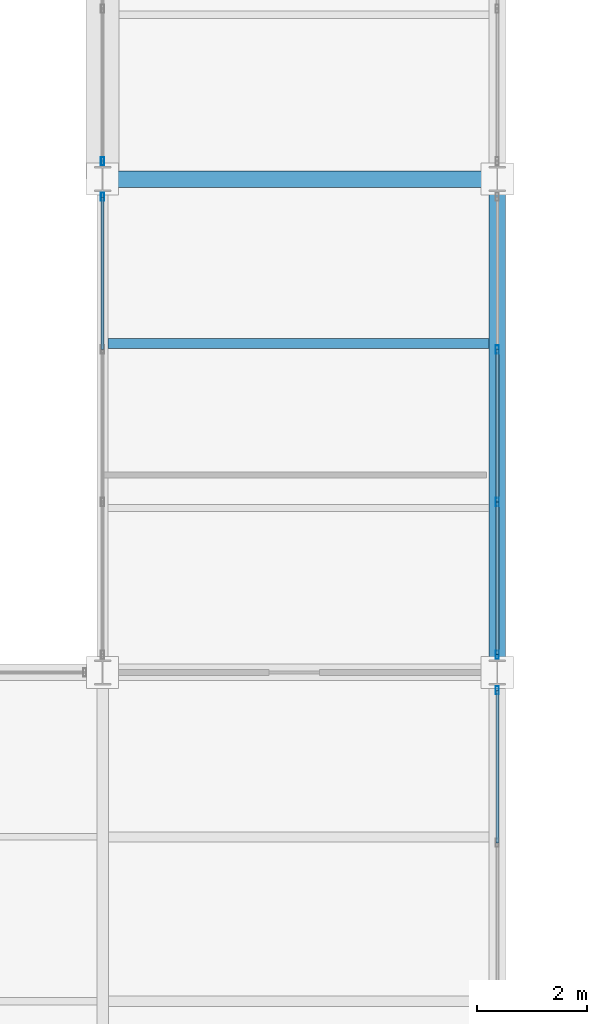
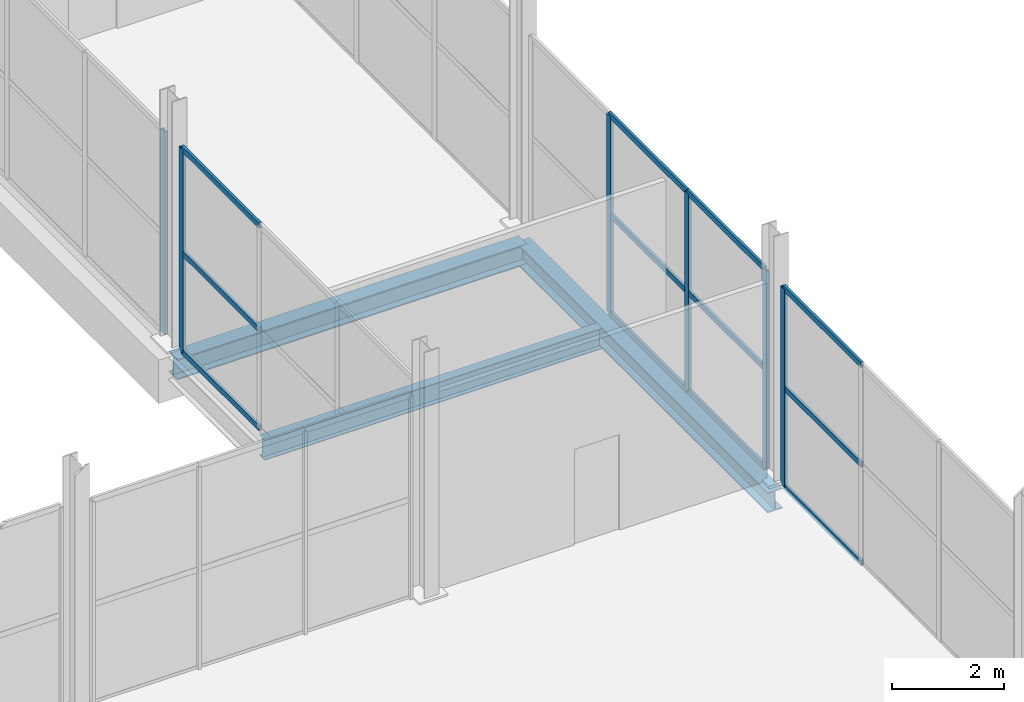
# One storey, part 91 of 147: 18 members, 3 beams, 4 elements without a shape of their own.
"""IFC4 building model written with IfcOpenShell, lengths in metres."""

from ifc_helpers import new_model, si_unit, direction, frame, origin, origin_2d, place, context, subcontext, project, spatial, hollow_rectangle, i_section, extrude, material, layer, layer_set, material_profile, profile_set, type_object, element, aggregate, save


model = new_model("IFC4")

# Units and contexts
model_context = context("Model", 3, precision=1e-05, world=origin(), true_north=direction((0.0, 1.0)))
body_context = subcontext(model_context, "Body", "Model", "MODEL_VIEW")
ifc_project = project(units=[si_unit("LENGTHUNIT", "METRE"), si_unit("AREAUNIT", "SQUARE_METRE"), si_unit("VOLUMEUNIT", "CUBIC_METRE"), si_unit("PLANEANGLEUNIT", "RADIAN"), si_unit("MASSUNIT", "GRAM", prefix="KILO")], contexts=[model_context])

# Site, building, storey
site_placement = place(None, origin())
site = spatial("IfcSite", under=ifc_project, at=site_placement, CompositionType="ELEMENT")
building_placement = place(site_placement, origin())
building = spatial("IfcBuilding", under=site, at=building_placement, Name="Sundgate Opera House", CompositionType="ELEMENT")
storey_placement = place(building_placement, frame((0.0, 0.0, 6.0)))
storey = spatial("IfcBuildingStorey", under=building, at=storey_placement, Name="L01", CompositionType="ELEMENT", Elevation=6.0)

# Beams
ifc_material_1 = material(Name="Steel S355J2", Category="steel")
ifc_material_profile_1 = material_profile(ifc_material_1, i_section(OverallWidth=0.300048828125, OverallDepth=0.449951171875, WebThickness=0.013916015625, FlangeThickness=0.02587890625, at=origin_2d()), Name="HEB 450")
ifc_profile_set_1 = profile_set([ifc_material_profile_1], Name="Steel S355J2")
beam_type_1 = type_object("IfcBeamType", Name="BM-GR-HEB450", PredefinedType="BEAM", material=ifc_profile_set_1)
beam_1_placement = place(storey_placement, frame((145.800048828125, 42.0, -0.52490234375), z_axis=(0.0, 1.0, 0.0), x_axis=(-1.0, 0.0, 0.0)))
element("IfcBeam", 1, at=beam_1_placement, inside=storey, type_object=beam_type_1, Name="L01 Primary N-S Girder B1231", PredefinedType="BEAM", context=body_context, shape_type="SweptSolid", body=[
    extrude(i_section(OverallWidth=0.300048828125, OverallDepth=0.449951171875, WebThickness=0.013916015625, FlangeThickness=0.02587890625, at=origin_2d()), origin(), (0.0, 0.0, 1.0), 9.0),
])
beam_2_placement = place(storey_placement, frame((138.60009765625, 51.0, -0.52490234375), z_axis=(1.0, 0.0, 0.0), x_axis=(0.0, 1.0, 0.0)))
element("IfcBeam", 2, at=beam_2_placement, inside=storey, type_object=beam_type_1, Name="L01 Primary E-W Girder B1341", PredefinedType="BEAM", context=body_context, shape_type="SweptSolid", body=[
    extrude(i_section(OverallWidth=0.300048828125, OverallDepth=0.449951171875, WebThickness=0.013916015625, FlangeThickness=0.02587890625, at=origin_2d()), origin(), (0.0, 0.0, 1.0), 7.199951171875),
])
ifc_material_2 = material(Name="Steel S355J2", Category="steel")
ifc_material_profile_2 = material_profile(ifc_material_2, i_section(OverallWidth=0.18994140625, OverallDepth=0.449951171875, WebThickness=0.009521484375, FlangeThickness=0.0146484375, at=origin_2d()), Name="IPE 450")
ifc_profile_set_2 = profile_set([ifc_material_profile_2], Name="Steel S355J2")
beam_type_2 = type_object("IfcBeamType", Name="BM-JS-IPE450", PredefinedType="JOIST", material=ifc_profile_set_2)
beam_3_placement = place(storey_placement, frame((138.699951171875, 48.0, -0.52490234375), z_axis=(1.0, 0.0, 0.0), x_axis=(0.0, 1.0, 0.0)))
element("IfcBeam", 3, at=beam_3_placement, inside=storey, type_object=beam_type_2, Name="L01 Secondary Floor Joist B1575", PredefinedType="JOIST", context=body_context, shape_type="SweptSolid", body=[
    extrude(i_section(OverallWidth=0.18994140625, OverallDepth=0.449951171875, WebThickness=0.009521484375, FlangeThickness=0.0146484375, at=origin_2d()), origin(), (0.0, 0.0, 1.0), 6.949951171875),
])

# Curtain wall, member
ifc_material_3 = material(Name="Anodized aluminium and low-iron glass", Category="aluminium")
ifc_layer = layer(ifc_material_3, 0.159912109375)
ifc_layer_set = layer_set([ifc_layer], Name="Anodized aluminium and low-iron glass")
curtain_wall_type = type_object("IfcCurtainWallType", Name="CW-STUDIO-DARK", PredefinedType="NOTDEFINED", material=ifc_layer_set)
curtain_wall_1_placement = place(storey_placement, origin())
curtain_wall_1 = element("IfcCurtainWall", 4, at=curtain_wall_1_placement, inside=storey, type_object=curtain_wall_type, Name="L01 Curtain Wall CW045", PredefinedType="NOTDEFINED")
ifc_material_4 = material(Name="Anodized aluminium EN AW-6063", Category="aluminium")
ifc_material_profile_3 = material_profile(ifc_material_4, hollow_rectangle(XDim=0.06005859375, YDim=0.14990234375, WallThickness=0.00390625, at=origin_2d()), Name="CWM 150x60x4")
ifc_profile_set_3 = profile_set([ifc_material_profile_3], Name="Anodized aluminium EN AW-6063")
member_type_1 = type_object("IfcMemberType", Name="CWM-ALU-150x60", PredefinedType="MULLION", material=ifc_profile_set_3)
member_1_placement = place(storey_placement, frame((145.800048828125, 41.675048828125, 0.0), z_axis=(0.0, 0.0, 1.0), x_axis=(1.0, 0.0, 0.0)))
member_1 = element("IfcMember", 5, at=member_1_placement, type_object=member_type_1, Name="CW045 Mullion 4", PredefinedType="MULLION", context=body_context, shape_type="SweptSolid", body=[
    extrude(hollow_rectangle(XDim=0.06005859375, YDim=0.14990234375, WallThickness=0.00390625, at=origin_2d()), origin(), (0.0, 0.0, 1.0), 4.31494140625),
])

# Curtain wall, members
curtain_wall_2_placement = place(storey_placement, origin())
curtain_wall_2 = element("IfcCurtainWall", 6, at=curtain_wall_2_placement, inside=storey, type_object=curtain_wall_type, Name="L01 Curtain Wall CW047", PredefinedType="NOTDEFINED")
member_2_placement = place(storey_placement, frame((145.800048828125, 42.324951171875, 0.0), z_axis=(0.0, 0.0, 1.0), x_axis=(1.0, 0.0, 0.0)))
member_2 = element("IfcMember", 7, at=member_2_placement, type_object=member_type_1, Name="CW047 Mullion 1", PredefinedType="MULLION", context=body_context, shape_type="SweptSolid", body=[
    extrude(hollow_rectangle(XDim=0.06005859375, YDim=0.14990234375, WallThickness=0.00390625, at=origin_2d()), origin(), (0.0, 0.0, 1.0), 4.31494140625),
])
member_3_placement = place(storey_placement, frame((145.800048828125, 45.1083984375, 0.0), z_axis=(0.0, 0.0, 1.0), x_axis=(1.0, 0.0, 0.0)))
member_3 = element("IfcMember", 8, at=member_3_placement, type_object=member_type_1, Name="CW047 Mullion 2", PredefinedType="MULLION", context=body_context, shape_type="SweptSolid", body=[
    extrude(hollow_rectangle(XDim=0.06005859375, YDim=0.14990234375, WallThickness=0.00390625, at=origin_2d()), origin(), (0.0, 0.0, 1.0), 4.31494140625),
])
member_4_placement = place(storey_placement, frame((145.800048828125, 47.8916015625, 0.0), z_axis=(0.0, 0.0, 1.0), x_axis=(1.0, 0.0, 0.0)))
member_4 = element("IfcMember", 9, at=member_4_placement, type_object=member_type_1, Name="CW047 Mullion 3", PredefinedType="MULLION", context=body_context, shape_type="SweptSolid", body=[
    extrude(hollow_rectangle(XDim=0.06005859375, YDim=0.14990234375, WallThickness=0.00390625, at=origin_2d()), origin(), (0.0, 0.0, 1.0), 4.31494140625),
])

# Curtain wall, member
curtain_wall_3_placement = place(storey_placement, origin())
curtain_wall_3 = element("IfcCurtainWall", 10, at=curtain_wall_3_placement, inside=storey, type_object=curtain_wall_type, Name="L01 Curtain Wall CW059", PredefinedType="NOTDEFINED")
member_5_placement = place(storey_placement, frame((138.60009765625, 50.675048828125, 0.0), z_axis=(0.0, 0.0, 1.0), x_axis=(1.0, 0.0, 0.0)))
member_5 = element("IfcMember", 11, at=member_5_placement, type_object=member_type_1, Name="CW059 Mullion 1", PredefinedType="MULLION", context=body_context, shape_type="SweptSolid", body=[
    extrude(hollow_rectangle(XDim=0.06005859375, YDim=0.14990234375, WallThickness=0.00390625, at=origin_2d()), origin(), (0.0, 0.0, 1.0), 4.4150390625),
])

curtain_wall_4_placement = place(storey_placement, origin())
curtain_wall_4 = element("IfcCurtainWall", 12, at=curtain_wall_4_placement, inside=storey, type_object=curtain_wall_type, Name="L01 Curtain Wall CW061", PredefinedType="NOTDEFINED")
member_6_placement = place(storey_placement, frame((138.60009765625, 51.324951171875, 0.0), z_axis=(0.0, 0.0, 1.0), x_axis=(1.0, 0.0, 0.0)))
member_6 = element("IfcMember", 13, at=member_6_placement, type_object=member_type_1, Name="CW061 Mullion 4", PredefinedType="MULLION", context=body_context, shape_type="SweptSolid", body=[
    extrude(hollow_rectangle(XDim=0.06005859375, YDim=0.14990234375, WallThickness=0.00390625, at=origin_2d()), origin(), (0.0, 0.0, 1.0), 4.4150390625),
])
aggregate(curtain_wall_4, [member_6])

# Member
ifc_material_5 = material(Name="Anodized aluminium EN AW-6063", Category="aluminium")
ifc_material_profile_4 = material_profile(ifc_material_5, hollow_rectangle(XDim=0.054931640625, YDim=0.1201171875, WallThickness=0.00390625, at=origin_2d()), Name="CWT 120x55x4")
ifc_profile_set_4 = profile_set([ifc_material_profile_4], Name="Anodized aluminium EN AW-6063")
member_type_2 = type_object("IfcMemberType", Name="CWT-ALU-120x55", PredefinedType="USERDEFINED", material=ifc_profile_set_4)
member_7_placement = place(storey_placement, frame((145.800048828125, 38.8916015625, 0.0), z_axis=(0.0, 1.0, 0.0), x_axis=(-1.0, 0.0, 0.0)))
member_7 = element("IfcMember", 14, at=member_7_placement, type_object=member_type_2, Name="CW045 Transom 7", ObjectType="TRANSOM", PredefinedType="USERDEFINED", context=body_context, shape_type="SweptSolid", body=[
    extrude(hollow_rectangle(XDim=0.054931640625, YDim=0.1201171875, WallThickness=0.00390625, at=origin_2d()), origin(), (0.0, 0.0, 1.0), 2.783447265625),
])

member_8_placement = place(storey_placement, frame((145.800048828125, 38.8916015625, 2.14990234375), z_axis=(0.0, 1.0, 0.0), x_axis=(-1.0, 0.0, 0.0)))
member_8 = element("IfcMember", 15, at=member_8_placement, type_object=member_type_2, Name="CW045 Transom 8", ObjectType="TRANSOM", PredefinedType="USERDEFINED", context=body_context, shape_type="SweptSolid", body=[
    extrude(hollow_rectangle(XDim=0.054931640625, YDim=0.1201171875, WallThickness=0.00390625, at=origin_2d()), origin(), (0.0, 0.0, 1.0), 2.783447265625),
])

member_9_placement = place(storey_placement, frame((145.800048828125, 38.8916015625, 4.31494140625), z_axis=(0.0, 1.0, 0.0), x_axis=(-1.0, 0.0, 0.0)))
member_9 = element("IfcMember", 16, at=member_9_placement, type_object=member_type_2, Name="CW045 Transom 9", ObjectType="TRANSOM", PredefinedType="USERDEFINED", context=body_context, shape_type="SweptSolid", body=[
    extrude(hollow_rectangle(XDim=0.054931640625, YDim=0.1201171875, WallThickness=0.00390625, at=origin_2d()), origin(), (0.0, 0.0, 1.0), 2.783447265625),
])

aggregate(curtain_wall_1, [member_1, member_7, member_8, member_9])

member_10_placement = place(storey_placement, frame((145.800048828125, 42.324951171875, 0.0), z_axis=(0.0, 1.0, 0.0), x_axis=(-1.0, 0.0, 0.0)))
member_10 = element("IfcMember", 17, at=member_10_placement, type_object=member_type_2, Name="CW047 Transom 1", ObjectType="TRANSOM", PredefinedType="USERDEFINED", context=body_context, shape_type="SweptSolid", body=[
    extrude(hollow_rectangle(XDim=0.054931640625, YDim=0.1201171875, WallThickness=0.00390625, at=origin_2d()), origin(), (0.0, 0.0, 1.0), 2.783447265625),
])

member_11_placement = place(storey_placement, frame((145.800048828125, 42.324951171875, 2.14990234375), z_axis=(0.0, 1.0, 0.0), x_axis=(-1.0, 0.0, 0.0)))
member_11 = element("IfcMember", 18, at=member_11_placement, type_object=member_type_2, Name="CW047 Transom 2", ObjectType="TRANSOM", PredefinedType="USERDEFINED", context=body_context, shape_type="SweptSolid", body=[
    extrude(hollow_rectangle(XDim=0.054931640625, YDim=0.1201171875, WallThickness=0.00390625, at=origin_2d()), origin(), (0.0, 0.0, 1.0), 2.783447265625),
])

member_12_placement = place(storey_placement, frame((145.800048828125, 42.324951171875, 4.31494140625), z_axis=(0.0, 1.0, 0.0), x_axis=(-1.0, 0.0, 0.0)))
member_12 = element("IfcMember", 19, at=member_12_placement, type_object=member_type_2, Name="CW047 Transom 3", ObjectType="TRANSOM", PredefinedType="USERDEFINED", context=body_context, shape_type="SweptSolid", body=[
    extrude(hollow_rectangle(XDim=0.054931640625, YDim=0.1201171875, WallThickness=0.00390625, at=origin_2d()), origin(), (0.0, 0.0, 1.0), 2.783447265625),
])

member_13_placement = place(storey_placement, frame((145.800048828125, 45.1083984375, 0.0), z_axis=(0.0, 1.0, 0.0), x_axis=(-1.0, 0.0, 0.0)))
member_13 = element("IfcMember", 20, at=member_13_placement, type_object=member_type_2, Name="CW047 Transom 4", ObjectType="TRANSOM", PredefinedType="USERDEFINED", context=body_context, shape_type="SweptSolid", body=[
    extrude(hollow_rectangle(XDim=0.054931640625, YDim=0.1201171875, WallThickness=0.00390625, at=origin_2d()), origin(), (0.0, 0.0, 1.0), 2.783203125),
])

member_14_placement = place(storey_placement, frame((145.800048828125, 45.1083984375, 2.14990234375), z_axis=(0.0, 1.0, 0.0), x_axis=(-1.0, 0.0, 0.0)))
member_14 = element("IfcMember", 21, at=member_14_placement, type_object=member_type_2, Name="CW047 Transom 5", ObjectType="TRANSOM", PredefinedType="USERDEFINED", context=body_context, shape_type="SweptSolid", body=[
    extrude(hollow_rectangle(XDim=0.054931640625, YDim=0.1201171875, WallThickness=0.00390625, at=origin_2d()), origin(), (0.0, 0.0, 1.0), 2.783203125),
])

member_15_placement = place(storey_placement, frame((145.800048828125, 45.1083984375, 4.31494140625), z_axis=(0.0, 1.0, 0.0), x_axis=(-1.0, 0.0, 0.0)))
member_15 = element("IfcMember", 22, at=member_15_placement, type_object=member_type_2, Name="CW047 Transom 6", ObjectType="TRANSOM", PredefinedType="USERDEFINED", context=body_context, shape_type="SweptSolid", body=[
    extrude(hollow_rectangle(XDim=0.054931640625, YDim=0.1201171875, WallThickness=0.00390625, at=origin_2d()), origin(), (0.0, 0.0, 1.0), 2.783203125),
])

aggregate(curtain_wall_2, [member_2, member_3, member_4, member_10, member_11, member_12, member_13, member_14, member_15])

member_16_placement = place(storey_placement, frame((138.60009765625, 50.675048828125, 0.0), z_axis=(0.0, -1.0, 0.0), x_axis=(1.0, 0.0, 0.0)))
member_16 = element("IfcMember", 23, at=member_16_placement, type_object=member_type_2, Name="CW059 Transom 1", ObjectType="TRANSOM", PredefinedType="USERDEFINED", context=body_context, shape_type="SweptSolid", body=[
    extrude(hollow_rectangle(XDim=0.054931640625, YDim=0.1201171875, WallThickness=0.00390625, at=origin_2d()), origin(), (0.0, 0.0, 1.0), 2.783447265625),
])

member_17_placement = place(storey_placement, frame((138.60009765625, 50.675048828125, 2.14990234375), z_axis=(0.0, -1.0, 0.0), x_axis=(1.0, 0.0, 0.0)))
member_17 = element("IfcMember", 24, at=member_17_placement, type_object=member_type_2, Name="CW059 Transom 2", ObjectType="TRANSOM", PredefinedType="USERDEFINED", context=body_context, shape_type="SweptSolid", body=[
    extrude(hollow_rectangle(XDim=0.054931640625, YDim=0.1201171875, WallThickness=0.00390625, at=origin_2d()), origin(), (0.0, 0.0, 1.0), 2.783447265625),
])

member_18_placement = place(storey_placement, frame((138.60009765625, 50.675048828125, 4.4150390625), z_axis=(0.0, -1.0, 0.0), x_axis=(1.0, 0.0, 0.0)))
member_18 = element("IfcMember", 25, at=member_18_placement, type_object=member_type_2, Name="CW059 Transom 3", ObjectType="TRANSOM", PredefinedType="USERDEFINED", context=body_context, shape_type="SweptSolid", body=[
    extrude(hollow_rectangle(XDim=0.054931640625, YDim=0.1201171875, WallThickness=0.00390625, at=origin_2d()), origin(), (0.0, 0.0, 1.0), 2.783447265625),
])

aggregate(curtain_wall_3, [member_5, member_16, member_17, member_18])

save(model, "model.ifc")
